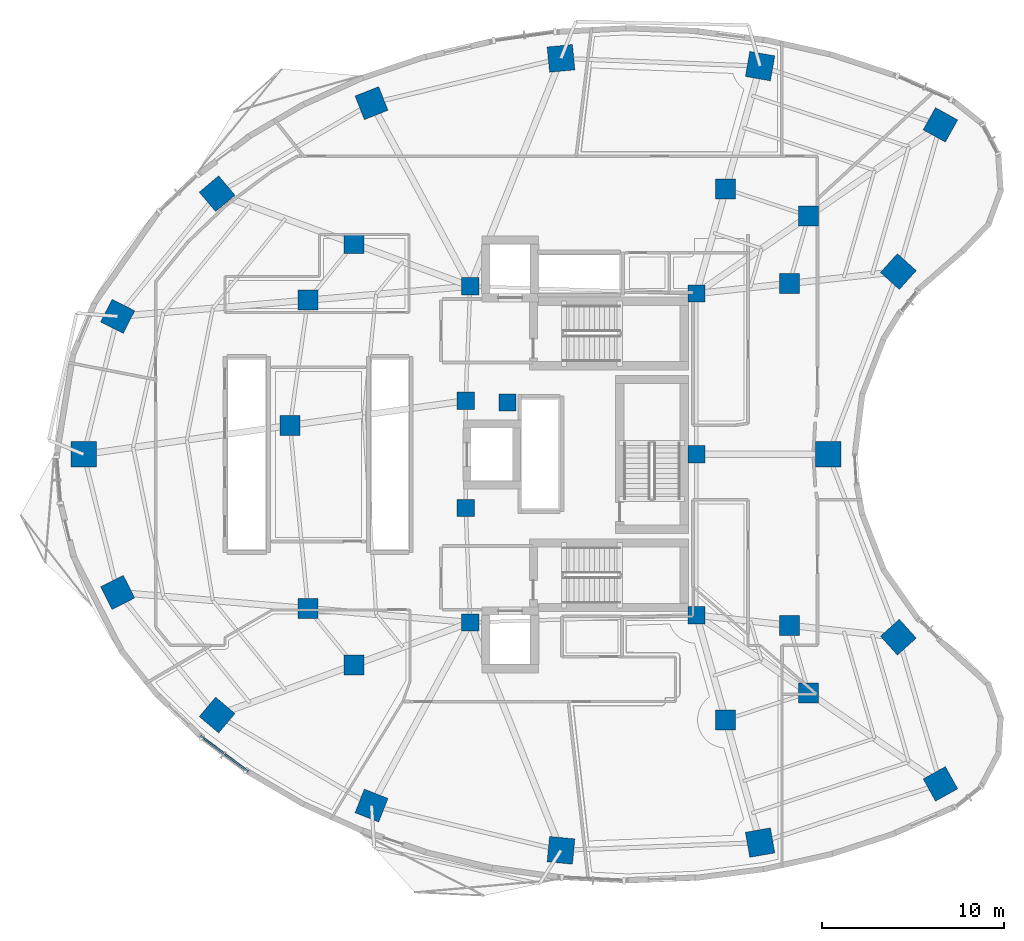
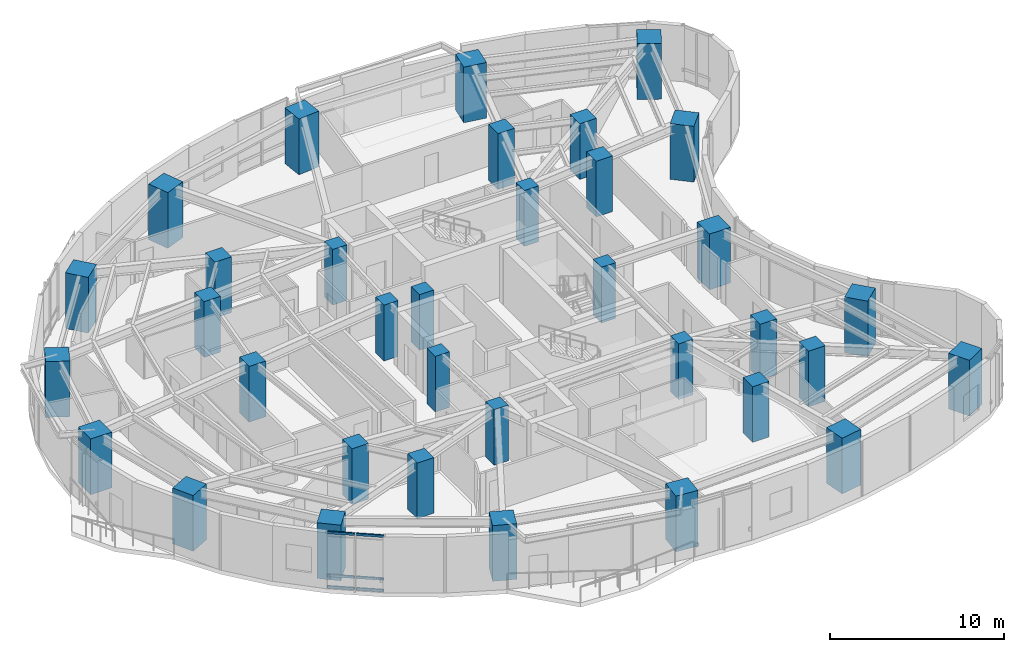
# One storey, part 1 of 15: 35 columns, 6 members, 1 element without a shape of its own.
"""IFC4 building model written with IfcOpenShell, lengths in metres."""

from ifc_helpers import new_model, si_unit, direction, frame, origin, origin_2d, place, context, subcontext, project, spatial, rectangle, extrude, material, layer, layer_set, material_profile, profile_set, type_object, element, aggregate, save


model = new_model("IFC4")

# Units and contexts
model_context = context("Model", 3, precision=1e-05, world=origin(), true_north=direction((0.0, 1.0)))
body_context = subcontext(model_context, "Body", "Model", "MODEL_VIEW")
ifc_project = project(units=[si_unit("LENGTHUNIT", "METRE"), si_unit("AREAUNIT", "SQUARE_METRE"), si_unit("VOLUMEUNIT", "CUBIC_METRE"), si_unit("PLANEANGLEUNIT", "RADIAN"), si_unit("MASSUNIT", "GRAM", prefix="KILO")], contexts=[model_context])

# Site, building, storey
site_placement = place(None, origin())
site = spatial("IfcSite", under=ifc_project, at=site_placement, CompositionType="ELEMENT")
building_placement = place(site_placement, origin())
building = spatial("IfcBuilding", under=site, at=building_placement, Name="Korentha Bioscience Tower", CompositionType="ELEMENT")
storey_placement = place(building_placement, frame((0.0, 0.0, 72.0)))
storey = spatial("IfcBuildingStorey", under=building, at=storey_placement, Name="L16", CompositionType="ELEMENT", Elevation=72.0)

# Columns
ifc_material_1 = material(Name="Concrete C65", Category="concrete")
ifc_material_profile_1 = material_profile(ifc_material_1, rectangle(XDim=0.949951171875, YDim=0.949951171875, at=origin_2d()), Name="Concrete C65")
ifc_profile_set_1 = profile_set([ifc_material_profile_1], Name="Concrete C65 (COL-CP09)")
column_type_1 = type_object("IfcColumnType", Name="Core Pilaster Column RC 950x950", PredefinedType="PILASTER", material=ifc_profile_set_1)
for number, where, z_axis, x_axis, name in (
    (1, (37.550048828125, 35.85009765625, -0.00048828125), (0.0, 0.0, 1.0), (1.0, 0.0, 0.0), "L16 Core Pilaster CP-01"),
    (2, (25.10009765625, 36.25, -0.00048828125), (0.0, 0.0, 1.0), (1.0, 0.0, 0.0), "L16 Core Pilaster CP-02"),
    (3, (24.85009765625, 29.949951171875, -0.00048828125), (0.0, 0.0, 1.0), (1.0, 0.0, 0.0), "L16 Core Pilaster CP-03"),
    (4, (27.14990234375, 29.85009765625, -0.00048828125), (0.0, 0.0, 1.0), (1.0, 0.0, 0.0), "L16 Core Pilaster CP-04"),
    (5, (24.85009765625, 24.050048828125, -0.00048828125), (0.0, 0.0, 1.0), (1.0, 0.0, 0.0), "L16 Core Pilaster CP-05"),
    (6, (25.10009765625, 17.75, -0.00048828125), (0.0, 0.0, 1.0), (1.0, 0.0, 0.0), "L16 Core Pilaster CP-06"),
    (7, (37.550048828125, 18.14990234375, -0.00048828125), (0.0, 0.0, 1.0), (1.0, 0.0, 0.0), "L16 Core Pilaster CP-07"),
    (8, (37.550048828125, 27.0, -0.00048828125), (0.0, 0.0, 1.0), (1.0, 0.0, 0.0), "L16 Core Pilaster CP-08"),
):
    element("IfcColumn", number, at=place(storey_placement, frame(where, z_axis=z_axis, x_axis=x_axis)), inside=storey, type_object=column_type_1, Name=name, PredefinedType="PILASTER", context=body_context, shape_type="SweptSolid", body=[
        extrude(rectangle(XDim=0.949951171875, YDim=0.949951171875, at=origin_2d()), origin(), (0.0, 0.0, 1.0), 3.90087890625),
    ])
ifc_material_2 = material(Name="Concrete C80", Category="concrete")
ifc_material_profile_2 = material_profile(ifc_material_2, rectangle(XDim=1.10009765625, YDim=1.10009765625, at=origin_2d()), Name="Concrete C80")
ifc_profile_set_2 = profile_set([ifc_material_profile_2], Name="Concrete C80 (COL-MR11)")
column_type_2 = type_object("IfcColumnType", Name="Mid-Ring Lab Column RC 1100x1100", PredefinedType="COLUMN", material=ifc_profile_set_2)
for number, where, z_axis, x_axis, name in (
    (9, (43.7265625, 40.121337890625, -0.00048828125), (0.0, 0.0, 1.0), (1.0, 0.0, 0.0), "L16 Mid-Ring Column 01"),
    (10, (39.1611328125, 41.607666015625, -0.00048828125), (0.0, 0.0, 1.0), (1.0, 0.0, 0.0), "L16 Mid-Ring Column 02"),
    (11, (18.692138671875, 38.5947265625, -0.00048828125), (0.0, 0.0, 1.0), (1.0, 0.0, 0.0), "L16 Mid-Ring Column 05"),
    (12, (16.174072265625, 35.489013671875, -0.00048828125), (0.0, 0.0, 1.0), (1.0, 0.0, 0.0), "L16 Mid-Ring Column 06"),
    (13, (15.1787109375, 28.593505859375, -0.00048828125), (0.0, 0.0, 1.0), (1.0, 0.0, 0.0), "L16 Mid-Ring Column 07"),
    (14, (16.174072265625, 18.510986328125, -0.00048828125), (0.0, 0.0, 1.0), (1.0, 0.0, 0.0), "L16 Mid-Ring Column 08"),
    (15, (18.692138671875, 15.4052734375, -0.00048828125), (0.0, 0.0, 1.0), (1.0, 0.0, 0.0), "L16 Mid-Ring Column 09"),
    (16, (39.1611328125, 12.392333984375, -0.00048828125), (0.0, 0.0, 1.0), (1.0, 0.0, 0.0), "L16 Mid-Ring Column 12"),
    (17, (43.7265625, 13.878662109375, -0.00048828125), (0.0, 0.0, 1.0), (1.0, 0.0, 0.0), "L16 Mid-Ring Column 13"),
    (18, (42.66162109375, 17.593017578125, -0.00048828125), (0.0, 0.0, 1.0), (1.0, 0.0, 0.0), "L16 Mid-Ring Column 14"),
    (19, (42.66162109375, 36.406982421875, -0.00048828125), (0.0, 0.0, 1.0), (1.0, 0.0, 0.0), "L16 Mid-Ring Column 16"),
):
    element("IfcColumn", number, at=place(storey_placement, frame(where, z_axis=z_axis, x_axis=x_axis)), inside=storey, type_object=column_type_2, Name=name, PredefinedType="COLUMN", context=body_context, shape_type="SweptSolid", body=[
        extrude(rectangle(XDim=1.10009765625, YDim=1.10009765625, at=origin_2d()), origin(), (0.0, 0.0, 1.0), 3.90087890625),
    ])
ifc_material_profile_3 = material_profile(ifc_material_2, rectangle(XDim=1.39990234375, YDim=1.39990234375, at=origin_2d()), Name="Concrete C80")
ifc_profile_set_3 = profile_set([ifc_material_profile_3], Name="Concrete C80 (COL-P14)")
column_type_3 = type_object("IfcColumnType", Name="Perimeter Column RC 1400x1400", PredefinedType="COLUMN", material=ifc_profile_set_3)
for number, where, z_axis, x_axis, name in (
    (20, (50.977294921875, 45.135498046875, -0.00048828125), (0.0, 0.0, 1.0), (-0.874535078577, 0.484962262797, 0.0), "L16 Perimeter Column 01"),
    (21, (41.052490234375, 48.36669921875, -0.00048828125), (0.0, 0.0, 1.0), (-0.984868307662, 0.173304404339, 0.0), "L16 Perimeter Column 02"),
    (22, (30.09423828125, 48.79248046875, -0.00048828125), (0.0, 0.0, 1.0), (0.995462868748, 0.095150811579, 0.0), "L16 Perimeter Column 03"),
    (23, (19.66650390625, 46.328857421875, -0.00048828125), (0.0, 0.0, 1.0), (0.930225540858, 0.366988341962, 0.0), "L16 Perimeter Column 04"),
    (24, (11.169921875, 41.34716796875, -0.00048828125), (0.0, 0.0, 1.0), (0.764246456939, 0.644924300253, 0.0), "L16 Perimeter Column 05"),
    (25, (5.69580078125, 34.595703125, -0.00048828125), (0.0, 0.0, 1.0), (0.453057191132, 0.891481453292, 0.0), "L16 Perimeter Column 06"),
    (26, (3.825439453125, 27.000732421875, -0.00048828125), (0.0, 0.0, 1.0), (0.0, 1.0, 0.0), "L16 Perimeter Column 07"),
    (27, (5.69580078125, 19.404296875, -0.00048828125), (0.0, 0.0, 1.0), (-0.453057191132, 0.891481453292, 0.0), "L16 Perimeter Column 08"),
    (28, (11.169921875, 12.65283203125, -0.00048828125), (0.0, 0.0, 1.0), (-0.764246456939, 0.644924300253, 0.0), "L16 Perimeter Column 09"),
    (29, (19.66650390625, 7.671142578125, -0.00048828125), (0.0, 0.0, 1.0), (-0.930225540858, 0.366988341962, 0.0), "L16 Perimeter Column 10"),
    (30, (30.09423828125, 5.20751953125, -0.00048828125), (0.0, 0.0, 1.0), (-0.995462868748, 0.095150811579, 0.0), "L16 Perimeter Column 11"),
    (31, (41.052490234375, 5.63330078125, -0.00048828125), (0.0, 0.0, 1.0), (0.984868307662, 0.173304404339, 0.0), "L16 Perimeter Column 12"),
    (32, (50.977294921875, 8.864501953125, -0.00048828125), (0.0, 0.0, 1.0), (0.874535078577, 0.484962262797, 0.0), "L16 Perimeter Column 13"),
    (33, (48.661865234375, 16.939208984375, -0.00048828125), (0.0, 0.0, 1.0), (-0.669130606359, 0.743144825477, 0.0), "L16 Perimeter Column 14"),
    (34, (44.798583984375, 27.0, -0.00048828125), (0.0, 0.0, 1.0), (0.0, 1.0, 0.0), "L16 Perimeter Column 15"),
    (35, (48.661865234375, 37.060791015625, -0.00048828125), (0.0, 0.0, 1.0), (0.669130606359, 0.743144825477, 0.0), "L16 Perimeter Column 16"),
):
    element("IfcColumn", number, at=place(storey_placement, frame(where, z_axis=z_axis, x_axis=x_axis)), inside=storey, type_object=column_type_3, Name=name, PredefinedType="COLUMN", context=body_context, shape_type="SweptSolid", body=[
        extrude(rectangle(XDim=1.39990234375, YDim=1.39990234375, at=origin_2d()), origin(), (0.0, 0.0, 1.0), 3.90087890625),
    ])

# Curtain wall, members
ifc_material_3 = material(Name="Thermally Broken Aluminium Frame", Category="aluminium")
ifc_layer = layer(ifc_material_3, 0.219970703125, Name="Thermally Broken Aluminium Frame")
ifc_layer_set = layer_set([ifc_layer], Name="Thermally Broken Aluminium Frame (CW-T2)")
curtain_wall_type = type_object("IfcCurtainWallType", Name="Solar-Screened Lab Unitised Curtain Wall CW-T2", PredefinedType="USERDEFINED", material=ifc_layer_set)
curtain_wall_placement = place(storey_placement, origin())
curtain_wall = element("IfcCurtainWall", 36, at=curtain_wall_placement, inside=storey, type_object=curtain_wall_type, Name="L16 Curtain Wall 25", ObjectType="UNITISED", PredefinedType="USERDEFINED")
ifc_material_4 = material(Name="Anodised Aluminium 6063-T6", Category="aluminium")
ifc_material_profile_4 = material_profile(ifc_material_4, rectangle(XDim=0.090087890625, YDim=0.159912109375, at=origin_2d()), Name="Anodised Aluminium 6063-T6")
ifc_profile_set_4 = profile_set([ifc_material_profile_4], Name="Anodised Aluminium 6063-T6 (CW-TRN)")
member_type = type_object("IfcMemberType", Name="Transom RECT 90x160", PredefinedType="USERDEFINED", material=ifc_profile_set_4)
member_1_placement = place(storey_placement, frame((10.2578125, 11.51171875, 0.044921875), z_axis=(0.8008676283, -0.598841416354, 0.0), x_axis=(0.598841416354, 0.8008676283, 0.0)))
member_1 = element("IfcMember", 37, at=member_1_placement, type_object=member_type, Name="CW-L16-25 Bay 1 Transom 1", ObjectType="TRANSOM", PredefinedType="USERDEFINED", context=body_context, shape_type="SweptSolid", body=[
    extrude(rectangle(XDim=0.090087890625, YDim=0.159912109375, at=origin_2d()), origin(), (0.0, 0.0, 1.0), 1.58544921875),
])
member_2_placement = place(storey_placement, frame((10.2578125, 11.51171875, 0.85009765625), z_axis=(0.8008676283, -0.598841416354, 0.0), x_axis=(0.598841416354, 0.8008676283, 0.0)))
member_2 = element("IfcMember", 38, at=member_2_placement, type_object=member_type, Name="CW-L16-25 Bay 1 Transom 2", ObjectType="TRANSOM", PredefinedType="USERDEFINED", context=body_context, shape_type="SweptSolid", body=[
    extrude(rectangle(XDim=0.090087890625, YDim=0.159912109375, at=origin_2d()), origin(), (0.0, 0.0, 1.0), 1.58544921875),
])
member_3_placement = place(storey_placement, frame((10.2578125, 11.51171875, 3.85498046875), z_axis=(0.8008676283, -0.598841416354, 0.0), x_axis=(0.598841416354, 0.8008676283, 0.0)))
member_3 = element("IfcMember", 39, at=member_3_placement, type_object=member_type, Name="CW-L16-25 Bay 1 Transom 3", ObjectType="TRANSOM", PredefinedType="USERDEFINED", context=body_context, shape_type="SweptSolid", body=[
    extrude(rectangle(XDim=0.090087890625, YDim=0.159912109375, at=origin_2d()), origin(), (0.0, 0.0, 1.0), 1.58544921875),
])
member_4_placement = place(storey_placement, frame((11.599609375, 10.50830078125, 0.044921875), z_axis=(0.800738536228, -0.59901402037, 0.0), x_axis=(0.59901402037, 0.800738536228, 0.0)))
member_4 = element("IfcMember", 40, at=member_4_placement, type_object=member_type, Name="CW-L16-25 Bay 2 Transom 1", ObjectType="TRANSOM", PredefinedType="USERDEFINED", context=body_context, shape_type="SweptSolid", body=[
    extrude(rectangle(XDim=0.090087890625, YDim=0.159912109375, at=origin_2d()), origin(), (0.0, 0.0, 1.0), 1.58544921875),
])
member_5_placement = place(storey_placement, frame((11.599609375, 10.50830078125, 0.85009765625), z_axis=(0.800738536228, -0.59901402037, 0.0), x_axis=(0.59901402037, 0.800738536228, 0.0)))
member_5 = element("IfcMember", 41, at=member_5_placement, type_object=member_type, Name="CW-L16-25 Bay 2 Transom 2", ObjectType="TRANSOM", PredefinedType="USERDEFINED", context=body_context, shape_type="SweptSolid", body=[
    extrude(rectangle(XDim=0.090087890625, YDim=0.159912109375, at=origin_2d()), origin(), (0.0, 0.0, 1.0), 1.58544921875),
])
member_6_placement = place(storey_placement, frame((11.599609375, 10.50830078125, 3.85498046875), z_axis=(0.800738536228, -0.59901402037, 0.0), x_axis=(0.59901402037, 0.800738536228, 0.0)))
member_6 = element("IfcMember", 42, at=member_6_placement, type_object=member_type, Name="CW-L16-25 Bay 2 Transom 3", ObjectType="TRANSOM", PredefinedType="USERDEFINED", context=body_context, shape_type="SweptSolid", body=[
    extrude(rectangle(XDim=0.090087890625, YDim=0.159912109375, at=origin_2d()), origin(), (0.0, 0.0, 1.0), 1.58544921875),
])
aggregate(curtain_wall, [member_1, member_2, member_3, member_4, member_5, member_6])

save(model, "model.ifc")
